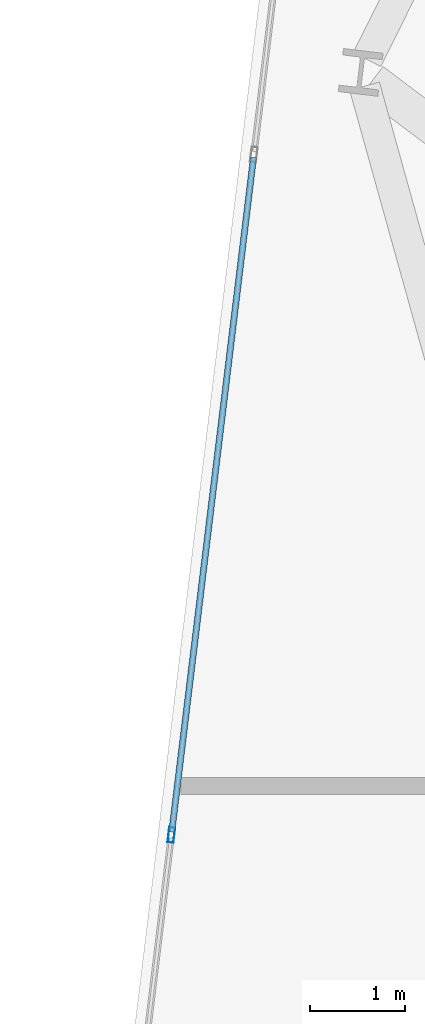
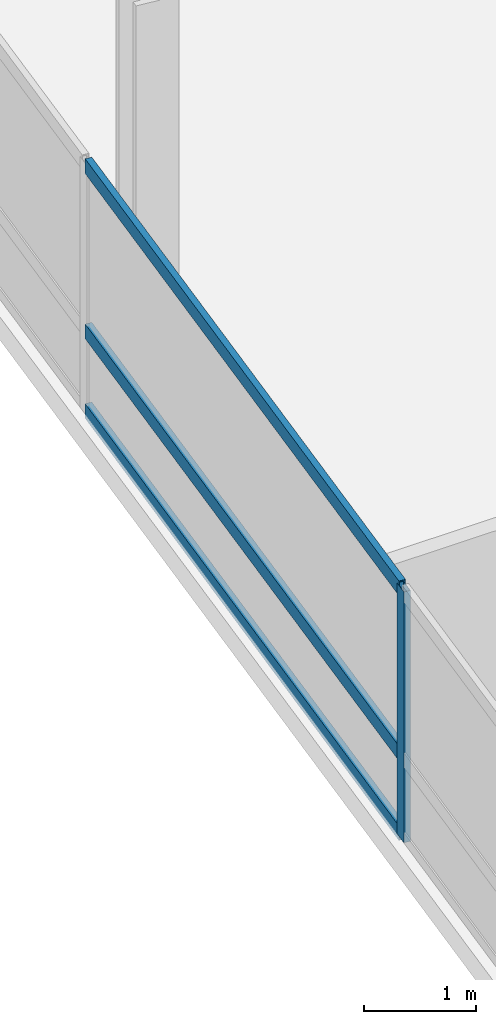
# One storey, part 6 of 26: 4 members, 1 element without a shape of its own.
"""IFC4 building model written with IfcOpenShell, lengths in metres."""

from ifc_helpers import new_model, si_unit, direction, frame, origin, origin_2d, place, context, subcontext, project, spatial, hollow_rectangle, extrude, material, layer, layer_set, material_profile, profile_set, type_object, element, aggregate, save


model = new_model("IFC4")

# Units and contexts
model_context = context("Model", 3, precision=1e-05, world=origin(), true_north=direction((0.0, 1.0)))
body_context = subcontext(model_context, "Body", "Model", "MODEL_VIEW")
ifc_project = project(units=[si_unit("LENGTHUNIT", "METRE"), si_unit("AREAUNIT", "SQUARE_METRE"), si_unit("VOLUMEUNIT", "CUBIC_METRE"), si_unit("PLANEANGLEUNIT", "RADIAN"), si_unit("MASSUNIT", "GRAM", prefix="KILO")], contexts=[model_context])

# Site, building, storey
site_placement = place(None, origin())
site = spatial("IfcSite", under=ifc_project, at=site_placement, CompositionType="ELEMENT")
building_placement = place(site_placement, origin())
building = spatial("IfcBuilding", under=site, at=building_placement, Name="Varnelok Gate Tower", CompositionType="ELEMENT")
storey_placement = place(building_placement, frame((0.0, 0.0, 121.699951171875)))
storey = spatial("IfcBuildingStorey", under=building, at=storey_placement, Name="L30", CompositionType="ELEMENT", Elevation=121.699951171875)

# Curtain wall, members
ifc_material = material(Name="Anodized Aluminum Alloy 6063-T6", Category="aluminium")
ifc_layer = layer(ifc_material, 0.179931640625)
ifc_layer_set = layer_set([ifc_layer], Name="Anodized Aluminum Alloy 6063-T6")
curtain_wall_type = type_object("IfcCurtainWallType", Name="CW3-HOTEL-VISION", PredefinedType="USERDEFINED", material=ifc_layer_set)
curtain_wall_placement = place(storey_placement, origin())
curtain_wall = element("IfcCurtainWall", 1, at=curtain_wall_placement, inside=storey, type_object=curtain_wall_type, Name="L30 West End Vision Curtain Wall", ObjectType="UNITISED CURTAIN WALL", PredefinedType="USERDEFINED")
ifc_material_profile_1 = material_profile(ifc_material, hollow_rectangle(XDim=0.06494140625, YDim=0.159912109375, WallThickness=0.00390625, at=origin_2d()), Name="ALU160X65X4")
ifc_profile_set_1 = profile_set([ifc_material_profile_1], Name="Anodized Aluminum Alloy 6063-T6")
member_type_1 = type_object("IfcMemberType", Name="CW-MULL-160", PredefinedType="MULLION", material=ifc_profile_set_1)
member_1_placement = place(storey_placement, frame((1.97607421875, 26.186279296875, 0.0), z_axis=(0.0, 0.0, 1.0), x_axis=(-0.99273188146, 0.120347046212, 0.0)))
member_1 = element("IfcMember", 2, at=member_1_placement, type_object=member_type_1, Name="CW3 mullion 3", PredefinedType="MULLION", context=body_context, shape_type="SweptSolid", body=[
    extrude(hollow_rectangle(XDim=0.06494140625, YDim=0.159912109375, WallThickness=0.00390625, at=origin_2d()), origin(), (0.0, 0.0, 1.0), 2.72998046875),
])
ifc_material_profile_2 = material_profile(ifc_material, hollow_rectangle(XDim=0.06494140625, YDim=0.159912109375, WallThickness=0.00390625, at=origin_2d()), Name="ALU160X65X4")
ifc_profile_set_2 = profile_set([ifc_material_profile_2], Name="Anodized Aluminum Alloy 6063-T6")
member_type_2 = type_object("IfcMemberType", Name="CW-TRAN-160", PredefinedType="USERDEFINED", material=ifc_profile_set_2)
member_2_placement = place(storey_placement, frame((1.97998046875, 26.218505859375, 0.032470703125), z_axis=(0.120344652138, 0.992732171687, 0.0), x_axis=(-0.992732171687, 0.120344652138, 0.0)))
member_2 = element("IfcMember", 3, at=member_2_placement, type_object=member_type_2, Name="CW3 transom 3.1", ObjectType="TRANSOM", PredefinedType="USERDEFINED", context=body_context, shape_type="SweptSolid", body=[
    extrude(hollow_rectangle(XDim=0.06494140625, YDim=0.159912109375, WallThickness=0.00390625, at=origin_2d()), origin(), (0.0, 0.0, 1.0), 7.134765625),
])
member_3_placement = place(storey_placement, frame((1.97998046875, 26.218505859375, 0.900146484375), z_axis=(0.120344652138, 0.992732171687, 0.0), x_axis=(-0.992732171687, 0.120344652138, 0.0)))
member_3 = element("IfcMember", 4, at=member_3_placement, type_object=member_type_2, Name="CW3 transom 3.2", ObjectType="TRANSOM", PredefinedType="USERDEFINED", context=body_context, shape_type="SweptSolid", body=[
    extrude(hollow_rectangle(XDim=0.06494140625, YDim=0.159912109375, WallThickness=0.00390625, at=origin_2d()), origin(), (0.0, 0.0, 1.0), 7.134765625),
])
member_4_placement = place(storey_placement, frame((1.97998046875, 26.218505859375, 2.697509765625), z_axis=(0.120344652138, 0.992732171687, 0.0), x_axis=(-0.992732171687, 0.120344652138, 0.0)))
member_4 = element("IfcMember", 5, at=member_4_placement, type_object=member_type_2, Name="CW3 transom 3.3", ObjectType="TRANSOM", PredefinedType="USERDEFINED", context=body_context, shape_type="SweptSolid", body=[
    extrude(hollow_rectangle(XDim=0.06494140625, YDim=0.159912109375, WallThickness=0.00390625, at=origin_2d()), origin(), (0.0, 0.0, 1.0), 7.134765625),
])
aggregate(curtain_wall, [member_1, member_2, member_3, member_4])

save(model, "model.ifc")
